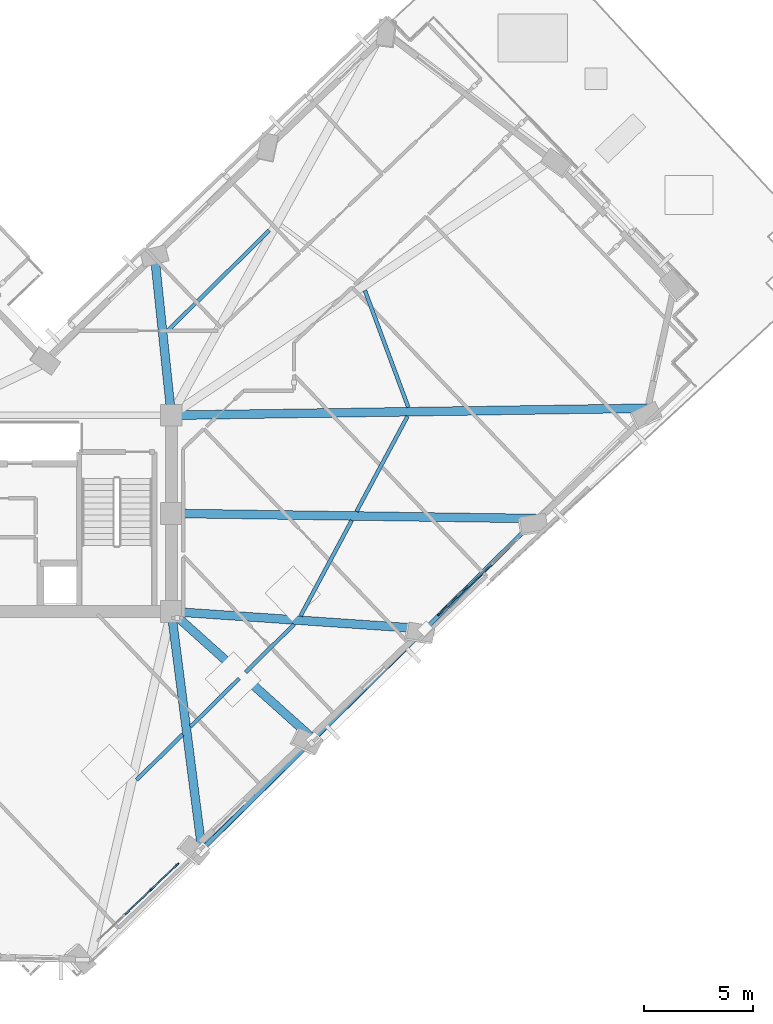
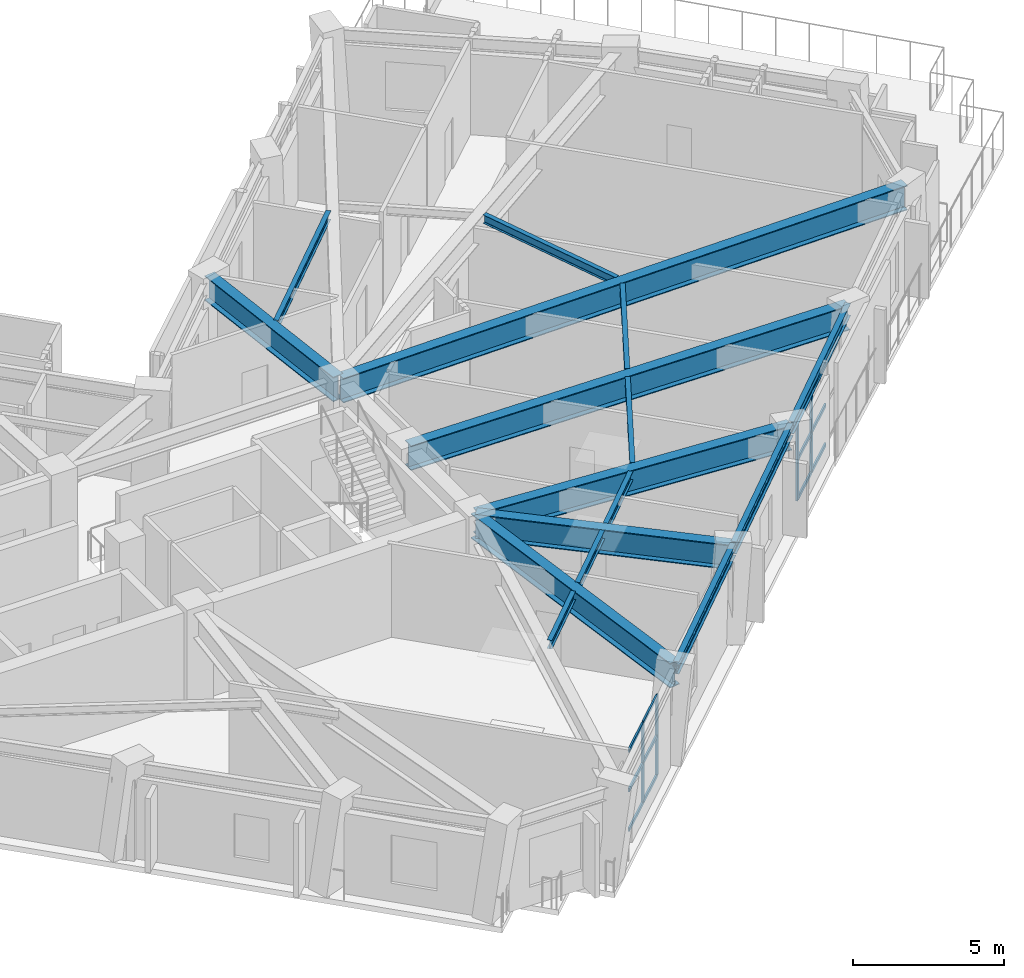
# One storey, part 4 of 17: 18 members, 16 beams, 2 elements without a shape of their own.
"""IFC4 building model written with IfcOpenShell, lengths in metres."""

from ifc_helpers import new_model, si_unit, direction, frame, origin, origin_2d, place, context, subcontext, project, spatial, rectangle, hollow_circle, i_section, extrude, material, material_profile, profile_set, type_object, element, aggregate, save


model = new_model("IFC4")

# Units and contexts
model_context = context("Model", 3, precision=1e-05, world=origin(), true_north=direction((0.0, 1.0)))
body_context = subcontext(model_context, "Body", "Model", "MODEL_VIEW")
ifc_project = project(units=[si_unit("LENGTHUNIT", "METRE"), si_unit("AREAUNIT", "SQUARE_METRE"), si_unit("VOLUMEUNIT", "CUBIC_METRE"), si_unit("PLANEANGLEUNIT", "RADIAN"), si_unit("MASSUNIT", "GRAM", prefix="KILO")], contexts=[model_context])

# Site, building, storey
site_placement = place(None, origin())
site = spatial("IfcSite", under=ifc_project, at=site_placement, CompositionType="ELEMENT")
building_placement = place(site_placement, origin())
building = spatial("IfcBuilding", under=site, at=building_placement, Name="Gaonmaruhae Medical Tower", CompositionType="ELEMENT")
storey_placement = place(building_placement, frame((0.0, 0.0, 211.199951171875)))
storey = spatial("IfcBuildingStorey", under=building, at=storey_placement, Name="L50", CompositionType="ELEMENT", Elevation=211.199951171875)

# Beams
ifc_material_1 = material(Name="Steel SM420", Category="steel")
ifc_material_profile_1 = material_profile(ifc_material_1, i_section(OverallWidth=0.39990234375, OverallDepth=1.0, WebThickness=0.02197265625, FlangeThickness=0.035888671875, at=origin_2d()), Name="BH-1000x400x22x36")
ifc_profile_set_1 = profile_set([ifc_material_profile_1], Name="Steel SM420")
beam_type_1 = type_object("IfcBeamType", Name="BG-02 Refuge Floor Primary Girder (BH-1000x400x22x36)", PredefinedType="BEAM", material=ifc_profile_set_1)
beam_1_placement = place(storey_placement, frame((35.6064453125, 7.75048828125, 3.280029296875), z_axis=(0.127238291517, -0.991872177839, 0.0), x_axis=(0.991872177839, 0.127238291517, 0.0)))
element("IfcBeam", 1, at=beam_1_placement, inside=storey, type_object=beam_type_1, Name="L50 Radial Primary Girder S02", PredefinedType="BEAM", context=body_context, shape_type="SweptSolid", body=[
    extrude(i_section(OverallWidth=0.39990234375, OverallDepth=1.0, WebThickness=0.02197265625, FlangeThickness=0.035888671875, at=origin_2d()), origin(), (0.0, 0.0, 1.0), 10.90625),
])
beam_2_placement = place(storey_placement, frame((35.63720703125, 7.7666015625, 3.280029296875), z_axis=(0.744075291358, -0.66809577217, 0.0), x_axis=(0.66809577217, 0.744075291358, 0.0)))
element("IfcBeam", 2, at=beam_2_placement, inside=storey, type_object=beam_type_1, Name="L50 Radial Primary Girder S03", PredefinedType="BEAM", context=body_context, shape_type="SweptSolid", body=[
    extrude(i_section(OverallWidth=0.39990234375, OverallDepth=1.0, WebThickness=0.02197265625, FlangeThickness=0.035888671875, at=origin_2d()), origin(), (0.0, 0.0, 1.0), 8.666015625),
])
beam_3_placement = place(storey_placement, frame((35.64990234375, 7.796630859375, 3.280029296875), z_axis=(0.997666740286, -0.068272068423, 0.0), x_axis=(0.068272068423, 0.997666740286, 0.0)))
element("IfcBeam", 3, at=beam_3_placement, inside=storey, type_object=beam_type_1, Name="L50 Radial Primary Girder S04", PredefinedType="BEAM", context=body_context, shape_type="SweptSolid", body=[
    extrude(i_section(OverallWidth=0.39990234375, OverallDepth=1.0, WebThickness=0.02197265625, FlangeThickness=0.035888671875, at=origin_2d()), origin(), (0.0, 0.0, 1.0), 11.572021484375),
])
beam_4_placement = place(storey_placement, frame((35.64990234375, 12.29931640625, 3.280029296875), z_axis=(0.999900316157, -0.014119410335, 0.0), x_axis=(0.014119410335, 0.999900316157, 0.0)))
element("IfcBeam", 4, at=beam_4_placement, inside=storey, type_object=beam_type_1, Name="L50 Radial Primary Girder S05", PredefinedType="BEAM", context=body_context, shape_type="SweptSolid", body=[
    extrude(i_section(OverallWidth=0.39990234375, OverallDepth=1.0, WebThickness=0.02197265625, FlangeThickness=0.035888671875, at=origin_2d()), origin(), (0.0, 0.0, 1.0), 16.668701171875),
])
beam_5_placement = place(storey_placement, frame((35.64990234375, 16.80078125, 3.280029296875), z_axis=(0.999890975757, 0.014766062433, 0.0), x_axis=(-0.014766062433, 0.999890975757, 0.0)))
element("IfcBeam", 5, at=beam_5_placement, inside=storey, type_object=beam_type_1, Name="L50 Radial Primary Girder S06", PredefinedType="BEAM", context=body_context, shape_type="SweptSolid", body=[
    extrude(i_section(OverallWidth=0.39990234375, OverallDepth=1.0, WebThickness=0.02197265625, FlangeThickness=0.035888671875, at=origin_2d()), origin(), (0.0, 0.0, 1.0), 21.791748046875),
])
beam_6_placement = place(storey_placement, frame((35.5947265625, 16.849609375, 3.280029296875), z_axis=(-0.104133427484, 0.994563335982, 0.0), x_axis=(-0.994563335982, -0.104133427484, 0.0)))
element("IfcBeam", 6, at=beam_6_placement, inside=storey, type_object=beam_type_1, Name="L50 Radial Primary Girder EN02", PredefinedType="BEAM", context=body_context, shape_type="SweptSolid", body=[
    extrude(i_section(OverallWidth=0.39990234375, OverallDepth=1.0, WebThickness=0.02197265625, FlangeThickness=0.035888671875, at=origin_2d()), origin(), (0.0, 0.0, 1.0), 7.260986328125),
])

# Curtain wall, members
ifc_material_2 = material(Name="Anodised aluminium and Low-E double glazing", Category="aluminium")
curtain_wall_type = type_object("IfcCurtainWallType", Name="CW-S4 Setback Sky Garden Wintergarden Curtain Wall", PredefinedType="NOTDEFINED", material=ifc_material_2)
curtain_wall_1_placement = place(storey_placement, origin())
curtain_wall_1 = element("IfcCurtainWall", 7, at=curtain_wall_1_placement, inside=storey, type_object=curtain_wall_type, Name="L50 Curtain Wall CW-L50-S01", PredefinedType="NOTDEFINED")
ifc_material_3 = material(Name="Anodised aluminium 6063-T6", Category="aluminium")
ifc_material_profile_2 = material_profile(ifc_material_3, rectangle(XDim=0.06494140625, YDim=0.179931640625, at=origin_2d()), Name="CWM-65x180")
ifc_profile_set_2 = profile_set([ifc_material_profile_2], Name="Anodised aluminium 6063-T6")
member_type_1 = type_object("IfcMemberType", Name="CWM-2 Tower Feature Curtain Wall Mullion (CWM-65x180)", PredefinedType="MULLION", material=ifc_profile_set_2)
member_1_placement = place(storey_placement, frame((35.8681640625, -3.808349609375, 0.0), z_axis=(0.0, 0.0, 1.0), x_axis=(0.690882372162, -0.722967183097, 0.0)))
member_1 = element("IfcMember", 8, at=member_1_placement, type_object=member_type_1, Name="CW-S4 mullion 1", PredefinedType="MULLION", context=body_context, shape_type="SweptSolid", body=[
    extrude(rectangle(XDim=0.06494140625, YDim=0.179931640625, at=origin_2d()), origin(), (0.0, 0.0, 1.0), 3.26513671875),
])
member_2_placement = place(storey_placement, frame((34.674072265625, -4.949462890625, 0.0), z_axis=(0.0, 0.0, 1.0), x_axis=(0.690882372162, -0.722967183097, 0.0)))
member_2 = element("IfcMember", 9, at=member_2_placement, type_object=member_type_1, Name="CW-S4 mullion 2", PredefinedType="MULLION", context=body_context, shape_type="SweptSolid", body=[
    extrude(rectangle(XDim=0.06494140625, YDim=0.179931640625, at=origin_2d()), origin(), (0.0, 0.0, 1.0), 3.26513671875),
])

curtain_wall_2_placement = place(storey_placement, origin())
curtain_wall_2 = element("IfcCurtainWall", 10, at=curtain_wall_2_placement, inside=storey, type_object=curtain_wall_type, Name="L50 Curtain Wall CW-L50-S04", PredefinedType="NOTDEFINED")
member_3_placement = place(storey_placement, frame((49.078369140625, 8.815673828125, 0.0), z_axis=(0.0, 0.0, 1.0), x_axis=(0.690885971206, -0.72296374376, 0.0)))
member_3 = element("IfcMember", 11, at=member_3_placement, type_object=member_type_1, Name="CW-S4 mullion 3", PredefinedType="MULLION", context=body_context, shape_type="SweptSolid", body=[
    extrude(rectangle(XDim=0.06494140625, YDim=0.179931640625, at=origin_2d()), origin(), (0.0, 0.0, 1.0), 3.26513671875),
])
member_4_placement = place(storey_placement, frame((47.890869140625, 7.6806640625, 0.0), z_axis=(0.0, 0.0, 1.0), x_axis=(0.690885971206, -0.72296374376, 0.0)))
member_4 = element("IfcMember", 12, at=member_4_placement, type_object=member_type_1, Name="CW-S4 mullion 4", PredefinedType="MULLION", context=body_context, shape_type="SweptSolid", body=[
    extrude(rectangle(XDim=0.06494140625, YDim=0.179931640625, at=origin_2d()), origin(), (0.0, 0.0, 1.0), 3.26513671875),
])

# Member
ifc_material_profile_3 = material_profile(ifc_material_3, rectangle(XDim=0.06494140625, YDim=0.139892578125, at=origin_2d()), Name="CWT-65x140")
ifc_profile_set_3 = profile_set([ifc_material_profile_3], Name="Anodised aluminium 6063-T6")
member_type_2 = type_object("IfcMemberType", Name="CWT-2 Tower Feature Curtain Wall Transom (CWT-65x140)", PredefinedType="USERDEFINED", material=ifc_profile_set_3)
member_5_placement = place(storey_placement, frame((35.8447265625, -3.830810546875, 0.032470703125), z_axis=(-0.722929199762, -0.690922117269, 0.0), x_axis=(0.690922117269, -0.722929199762, 0.0)))
member_5 = element("IfcMember", 13, at=member_5_placement, type_object=member_type_2, Name="CW-S4 transom 1.1", ObjectType="TRANSOM", PredefinedType="USERDEFINED", context=body_context, shape_type="SweptSolid", body=[
    extrude(rectangle(XDim=0.06494140625, YDim=0.139892578125, at=origin_2d()), origin(), (0.0, 0.0, 1.0), 1.586669921875),
])

member_6_placement = place(storey_placement, frame((35.8447265625, -3.830810546875, 1.632568359375), z_axis=(-0.722929199762, -0.690922117269, 0.0), x_axis=(0.690922117269, -0.722929199762, 0.0)))
member_6 = element("IfcMember", 14, at=member_6_placement, type_object=member_type_2, Name="CW-S4 transom 1.2", ObjectType="TRANSOM", PredefinedType="USERDEFINED", context=body_context, shape_type="SweptSolid", body=[
    extrude(rectangle(XDim=0.06494140625, YDim=0.139892578125, at=origin_2d()), origin(), (0.0, 0.0, 1.0), 1.586669921875),
])

member_7_placement = place(storey_placement, frame((35.8447265625, -3.830810546875, 3.232666015625), z_axis=(-0.722929199762, -0.690922117269, 0.0), x_axis=(0.690922117269, -0.722929199762, 0.0)))
member_7 = element("IfcMember", 15, at=member_7_placement, type_object=member_type_2, Name="CW-S4 transom 1.3", ObjectType="TRANSOM", PredefinedType="USERDEFINED", context=body_context, shape_type="SweptSolid", body=[
    extrude(rectangle(XDim=0.06494140625, YDim=0.139892578125, at=origin_2d()), origin(), (0.0, 0.0, 1.0), 1.586669921875),
])

member_8_placement = place(storey_placement, frame((34.650634765625, -4.971923828125, 0.032470703125), z_axis=(-0.722910345402, -0.690941844521, 0.0), x_axis=(0.690941844521, -0.722910345402, 0.0)))
member_8 = element("IfcMember", 16, at=member_8_placement, type_object=member_type_2, Name="CW-S4 transom 2.1", ObjectType="TRANSOM", PredefinedType="USERDEFINED", context=body_context, shape_type="SweptSolid", body=[
    extrude(rectangle(XDim=0.06494140625, YDim=0.139892578125, at=origin_2d()), origin(), (0.0, 0.0, 1.0), 1.619140625),
])

member_9_placement = place(storey_placement, frame((34.650634765625, -4.971923828125, 1.632568359375), z_axis=(-0.722910345402, -0.690941844521, 0.0), x_axis=(0.690941844521, -0.722910345402, 0.0)))
member_9 = element("IfcMember", 17, at=member_9_placement, type_object=member_type_2, Name="CW-S4 transom 2.2", ObjectType="TRANSOM", PredefinedType="USERDEFINED", context=body_context, shape_type="SweptSolid", body=[
    extrude(rectangle(XDim=0.06494140625, YDim=0.139892578125, at=origin_2d()), origin(), (0.0, 0.0, 1.0), 1.619140625),
])

member_10_placement = place(storey_placement, frame((34.650634765625, -4.971923828125, 3.232666015625), z_axis=(-0.722910345402, -0.690941844521, 0.0), x_axis=(0.690941844521, -0.722910345402, 0.0)))
member_10 = element("IfcMember", 18, at=member_10_placement, type_object=member_type_2, Name="CW-S4 transom 2.3", ObjectType="TRANSOM", PredefinedType="USERDEFINED", context=body_context, shape_type="SweptSolid", body=[
    extrude(rectangle(XDim=0.06494140625, YDim=0.139892578125, at=origin_2d()), origin(), (0.0, 0.0, 1.0), 1.619140625),
])

aggregate(curtain_wall_1, [member_1, member_2, member_5, member_6, member_7, member_8, member_9, member_10])

member_11_placement = place(storey_placement, frame((50.265869140625, 9.950439453125, 0.032470703125), z_axis=(-0.72292503988, -0.690926469832, 0.0), x_axis=(0.690926469832, -0.72292503988, 0.0)))
member_11 = element("IfcMember", 19, at=member_11_placement, type_object=member_type_2, Name="CW-S4 transom 2.1", ObjectType="TRANSOM", PredefinedType="USERDEFINED", context=body_context, shape_type="SweptSolid", body=[
    extrude(rectangle(XDim=0.06494140625, YDim=0.139892578125, at=origin_2d()), origin(), (0.0, 0.0, 1.0), 1.60986328125),
])

member_12_placement = place(storey_placement, frame((50.265869140625, 9.950439453125, 1.632568359375), z_axis=(-0.72292503988, -0.690926469832, 0.0), x_axis=(0.690926469832, -0.72292503988, 0.0)))
member_12 = element("IfcMember", 20, at=member_12_placement, type_object=member_type_2, Name="CW-S4 transom 2.2", ObjectType="TRANSOM", PredefinedType="USERDEFINED", context=body_context, shape_type="SweptSolid", body=[
    extrude(rectangle(XDim=0.06494140625, YDim=0.139892578125, at=origin_2d()), origin(), (0.0, 0.0, 1.0), 1.60986328125),
])

member_13_placement = place(storey_placement, frame((50.265869140625, 9.950439453125, 3.232666015625), z_axis=(-0.72292503988, -0.690926469832, 0.0), x_axis=(0.690926469832, -0.72292503988, 0.0)))
member_13 = element("IfcMember", 21, at=member_13_placement, type_object=member_type_2, Name="CW-S4 transom 2.3", ObjectType="TRANSOM", PredefinedType="USERDEFINED", context=body_context, shape_type="SweptSolid", body=[
    extrude(rectangle(XDim=0.06494140625, YDim=0.139892578125, at=origin_2d()), origin(), (0.0, 0.0, 1.0), 1.60986328125),
])

member_14_placement = place(storey_placement, frame((49.054931640625, 8.793212890625, 0.032470703125), z_axis=(-0.722940880393, -0.690909895324, 0.0), x_axis=(0.690909895324, -0.722940880393, 0.0)))
member_14 = element("IfcMember", 22, at=member_14_placement, type_object=member_type_2, Name="CW-S4 transom 3.1", ObjectType="TRANSOM", PredefinedType="USERDEFINED", context=body_context, shape_type="SweptSolid", body=[
    extrude(rectangle(XDim=0.06494140625, YDim=0.139892578125, at=origin_2d()), origin(), (0.0, 0.0, 1.0), 1.57763671875),
])

member_15_placement = place(storey_placement, frame((49.054931640625, 8.793212890625, 1.632568359375), z_axis=(-0.722940880393, -0.690909895324, 0.0), x_axis=(0.690909895324, -0.722940880393, 0.0)))
member_15 = element("IfcMember", 23, at=member_15_placement, type_object=member_type_2, Name="CW-S4 transom 3.2", ObjectType="TRANSOM", PredefinedType="USERDEFINED", context=body_context, shape_type="SweptSolid", body=[
    extrude(rectangle(XDim=0.06494140625, YDim=0.139892578125, at=origin_2d()), origin(), (0.0, 0.0, 1.0), 1.57763671875),
])

member_16_placement = place(storey_placement, frame((49.054931640625, 8.793212890625, 3.232666015625), z_axis=(-0.722940880393, -0.690909895324, 0.0), x_axis=(0.690909895324, -0.722940880393, 0.0)))
member_16 = element("IfcMember", 24, at=member_16_placement, type_object=member_type_2, Name="CW-S4 transom 3.3", ObjectType="TRANSOM", PredefinedType="USERDEFINED", context=body_context, shape_type="SweptSolid", body=[
    extrude(rectangle(XDim=0.06494140625, YDim=0.139892578125, at=origin_2d()), origin(), (0.0, 0.0, 1.0), 1.57763671875),
])

aggregate(curtain_wall_2, [member_3, member_4, member_11, member_12, member_13, member_14, member_15, member_16])

# Beams
ifc_material_4 = material(Name="Steel SM355", Category="steel")
ifc_material_profile_4 = material_profile(ifc_material_4, i_section(OverallWidth=0.175048828125, OverallDepth=0.35009765625, WebThickness=0.007080078125, FlangeThickness=0.010986328125, FilletRadius=0.012939453125, at=origin_2d()), Name="H-350x175x7x11")
ifc_profile_set_4 = profile_set([ifc_material_profile_4], Name="Steel SM355")
beam_type_2 = type_object("IfcBeamType", Name="FJ-02 Upper Zone Ward Floor Joist (H-350x175x7x11)", PredefinedType="JOIST", material=ifc_profile_set_4)
beam_7_placement = place(storey_placement, frame((34.010009765625, 0.079345703125, 3.60498046875), z_axis=(0.711421418881, 0.702765654225, 0.0), x_axis=(-0.702765654225, 0.711421418881, 0.0)))
element("IfcBeam", 25, at=beam_7_placement, inside=storey, type_object=beam_type_2, Name="L50 Secondary Floor Joist FJ01", PredefinedType="JOIST", context=body_context, shape_type="SweptSolid", body=[
    extrude(i_section(OverallWidth=0.175048828125, OverallDepth=0.35009765625, WebThickness=0.007080078125, FlangeThickness=0.010986328125, FilletRadius=0.012939453125, at=origin_2d()), origin(), (0.0, 0.0, 1.0), 2.961669921875),
])
beam_8_placement = place(storey_placement, frame((36.4833984375, 2.522705078125, 3.60498046875), z_axis=(0.711414382895, 0.702772776799, 0.0), x_axis=(-0.702772776799, 0.711414382895, 0.0)))
element("IfcBeam", 26, at=beam_8_placement, inside=storey, type_object=beam_type_2, Name="L50 Secondary Floor Joist FJ02", PredefinedType="JOIST", context=body_context, shape_type="SweptSolid", body=[
    extrude(i_section(OverallWidth=0.175048828125, OverallDepth=0.35009765625, WebThickness=0.007080078125, FlangeThickness=0.010986328125, FilletRadius=0.012939453125, at=origin_2d()), origin(), (0.0, 0.0, 1.0), 3.135986328125),
])
beam_9_placement = place(storey_placement, frame((39.008056640625, 5.0166015625, 3.60498046875), z_axis=(0.711396175569, 0.702791207533, 0.0), x_axis=(-0.702791207533, 0.711396175569, 0.0)))
element("IfcBeam", 27, at=beam_9_placement, inside=storey, type_object=beam_type_2, Name="L50 Secondary Floor Joist FJ03", PredefinedType="JOIST", context=body_context, shape_type="SweptSolid", body=[
    extrude(i_section(OverallWidth=0.175048828125, OverallDepth=0.35009765625, WebThickness=0.007080078125, FlangeThickness=0.010986328125, FilletRadius=0.012939453125, at=origin_2d()), origin(), (0.0, 0.0, 1.0), 3.120849609375),
])
beam_10_placement = place(storey_placement, frame((41.52880859375, 7.600341796875, 3.60498046875), z_axis=(0.472284165157, 0.881446349668, 0.0), x_axis=(-0.881446349668, 0.472284165157, 0.0)))
element("IfcBeam", 28, at=beam_10_placement, inside=storey, type_object=beam_type_2, Name="L50 Secondary Floor Joist FJ04", PredefinedType="JOIST", context=body_context, shape_type="SweptSolid", body=[
    extrude(i_section(OverallWidth=0.175048828125, OverallDepth=0.35009765625, WebThickness=0.007080078125, FlangeThickness=0.010986328125, FilletRadius=0.012939453125, at=origin_2d()), origin(), (0.0, 0.0, 1.0), 4.96630859375),
])
beam_11_placement = place(storey_placement, frame((44.0927734375, 12.385498046875, 3.60498046875), z_axis=(0.472254216122, 0.881462395882, 0.0), x_axis=(-0.881462395882, 0.472254216122, 0.0)))
element("IfcBeam", 29, at=beam_11_placement, inside=storey, type_object=beam_type_2, Name="L50 Secondary Floor Joist FJ05", PredefinedType="JOIST", context=body_context, shape_type="SweptSolid", body=[
    extrude(i_section(OverallWidth=0.175048828125, OverallDepth=0.35009765625, WebThickness=0.007080078125, FlangeThickness=0.010986328125, FilletRadius=0.012939453125, at=origin_2d()), origin(), (0.0, 0.0, 1.0), 4.956787109375),
])
beam_12_placement = place(storey_placement, frame((46.468505859375, 17.166259765625, 3.60498046875), z_axis=(-0.348250907817, 0.937401357586, 0.0), x_axis=(-0.937401357586, -0.348250907817, 0.0)))
element("IfcBeam", 30, at=beam_12_placement, inside=storey, type_object=beam_type_2, Name="L50 Secondary Floor Joist FJ06", PredefinedType="JOIST", context=body_context, shape_type="SweptSolid", body=[
    extrude(i_section(OverallWidth=0.175048828125, OverallDepth=0.35009765625, WebThickness=0.007080078125, FlangeThickness=0.010986328125, FilletRadius=0.012939453125, at=origin_2d()), origin(), (0.0, 0.0, 1.0), 5.712890625),
])
beam_13_placement = place(storey_placement, frame((40.084716796875, 25.269287109375, 3.60498046875), z_axis=(-0.711415637306, -0.702771506961, 0.0), x_axis=(0.702771506961, -0.711415637306, 0.0)))
element("IfcBeam", 31, at=beam_13_placement, inside=storey, type_object=beam_type_2, Name="L50 Secondary Floor Joist FJ08", PredefinedType="JOIST", context=body_context, shape_type="SweptSolid", body=[
    extrude(i_section(OverallWidth=0.175048828125, OverallDepth=0.35009765625, WebThickness=0.007080078125, FlangeThickness=0.010986328125, FilletRadius=0.012939453125, at=origin_2d()), origin(), (0.0, 0.0, 1.0), 6.580810546875),
])

# Members
ifc_material_profile_5 = material_profile(ifc_material_4, hollow_circle(Radius=0.108154296875, WallThickness=0.00830078125, at=origin_2d()), Name="CHS-216.3x8.2")
ifc_profile_set_5 = profile_set([ifc_material_profile_5], Name="Steel SM355")
member_type_3 = type_object("IfcMemberType", Name="PR-03 Sky Garden Pergola Purlin (CHS-216.3x8.2)", PredefinedType="PURLIN", material=ifc_profile_set_5)
for number, where, z_axis, x_axis, name in (
    (32, (37.00048828125, -3.11669921875, 3.625), (0.711400045626, 0.702787290069, 0.0), (-0.499972036048, 0.506099262583, 0.702774145499), "L50 Sky Garden Pergola Purlin 1"),
    (33, (42.12255859375, 1.943359375, 3.625), (0.711433745524, 0.702753175539, 0.0), (-0.499947766527, 0.506123237129, 0.702774145499), "L50 Sky Garden Pergola Purlin 2"),
):
    element("IfcMember", number, at=place(storey_placement, frame(where, z_axis=z_axis, x_axis=x_axis)), inside=storey, type_object=member_type_3, Name=name, PredefinedType="PURLIN", context=body_context, shape_type="SweptSolid", body=[
        extrude(hollow_circle(Radius=0.108154296875, WallThickness=0.00830078125, at=origin_2d()), origin(), (0.0, 0.0, 1.0), 7.199951171875),
    ])

# Beams
ifc_material_profile_6 = material_profile(ifc_material_4, i_section(OverallWidth=0.199951171875, OverallDepth=0.5, WebThickness=0.010009765625, FlangeThickness=0.01611328125, FilletRadius=0.012939453125, at=origin_2d()), Name="H-500x200x10x16")
ifc_profile_set_6 = profile_set([ifc_material_profile_6], Name="Steel SM355")
beam_type_3 = type_object("IfcBeamType", Name="SP-02 Upper Perimeter Spandrel Beam (H-500x200x10x16)", PredefinedType="SPANDREL", material=ifc_profile_set_6)
beam_14_placement = place(storey_placement, frame((37.02880859375, -3.088623046875, 3.530029296875), z_axis=(0.711413910143, 0.702773255364, 0.0), x_axis=(-0.702773255364, 0.711413910143, 0.0)))
element("IfcBeam", 34, at=beam_14_placement, inside=storey, type_object=beam_type_3, Name="L50 Perimeter Spandrel Beam S02-S03", PredefinedType="SPANDREL", context=body_context, shape_type="SweptSolid", body=[
    extrude(i_section(OverallWidth=0.199951171875, OverallDepth=0.5, WebThickness=0.010009765625, FlangeThickness=0.01611328125, FilletRadius=0.012939453125, at=origin_2d()), origin(), (0.0, 0.0, 1.0), 7.1201171875),
])
for number, where, z_axis, x_axis, name in (
    (35, (42.151123046875, 1.971435546875, 3.530029296875), (0.711414118366, 0.702773044581, 0.0), (-0.702773044581, 0.711414118366, 0.0), "L50 Perimeter Spandrel Beam S03-S04"),
    (36, (47.273193359375, 7.031494140625, 3.530029296875), (0.711414118366, 0.702773044581, 0.0), (-0.702773044581, 0.711414118366, 0.0), "L50 Perimeter Spandrel Beam S04-S05"),
):
    element("IfcBeam", number, at=place(storey_placement, frame(where, z_axis=z_axis, x_axis=x_axis)), inside=storey, type_object=beam_type_3, Name=name, PredefinedType="SPANDREL", context=body_context, shape_type="SweptSolid", body=[
        extrude(i_section(OverallWidth=0.199951171875, OverallDepth=0.5, WebThickness=0.010009765625, FlangeThickness=0.01611328125, FilletRadius=0.012939453125, at=origin_2d()), origin(), (0.0, 0.0, 1.0), 7.119873046875),
    ])

save(model, "model.ifc")
